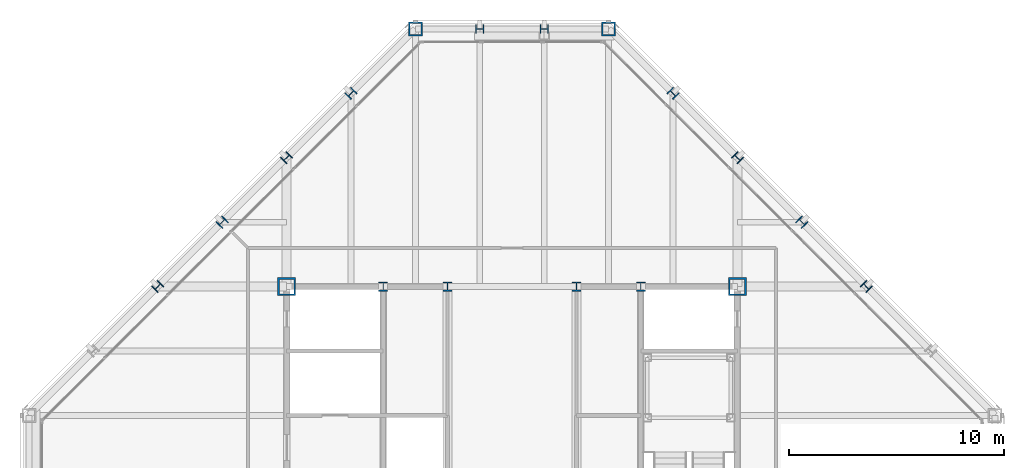
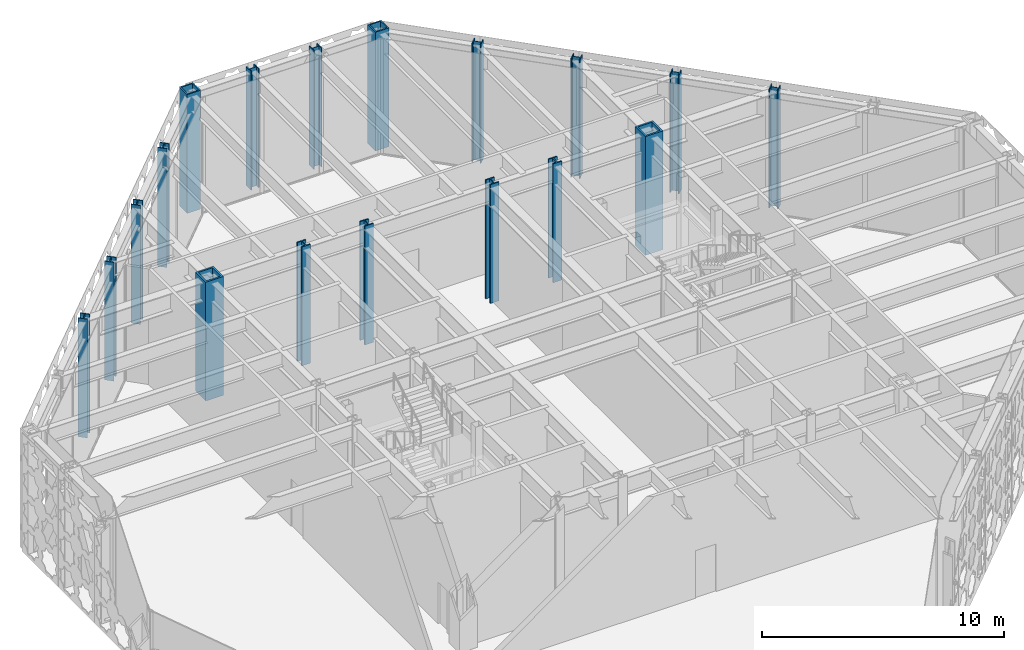
# One storey, part 4 of 28: 18 columns.
"""IFC4 building model written with IfcOpenShell, lengths in metres."""

from ifc_helpers import new_model, si_unit, direction, frame, origin, origin_2d, place, context, subcontext, project, spatial, hollow_rectangle, i_section, extrude, material, material_profile, profile_set, type_object, element, save


model = new_model("IFC4")

# Units and contexts
model_context = context("Model", 3, precision=1e-05, world=origin(), true_north=direction((0.0, 1.0)))
body_context = subcontext(model_context, "Body", "Model", "MODEL_VIEW")
ifc_project = project(units=[si_unit("LENGTHUNIT", "METRE"), si_unit("AREAUNIT", "SQUARE_METRE"), si_unit("VOLUMEUNIT", "CUBIC_METRE"), si_unit("PLANEANGLEUNIT", "RADIAN"), si_unit("MASSUNIT", "GRAM", prefix="KILO")], contexts=[model_context])

# Site, building, storey
site_placement = place(None, origin())
site = spatial("IfcSite", under=ifc_project, at=site_placement, CompositionType="ELEMENT")
building_placement = place(site_placement, origin())
building = spatial("IfcBuilding", under=site, at=building_placement, Name="Chuquiago Exchange Tower", CompositionType="ELEMENT")
storey_placement = place(building_placement, frame((0.0, 0.0, 300.0)))
storey = spatial("IfcBuildingStorey", under=building, at=storey_placement, Name="L67", CompositionType="ELEMENT", Elevation=300.0)

# Columns
ifc_material_1 = material(Name="Steel ASTM A992", Category="steel")
ifc_material_profile_1 = material_profile(ifc_material_1, i_section(OverallWidth=0.4013671875, OverallDepth=0.398681640625, WebThickness=0.02490234375, FlangeThickness=0.03955078125, at=origin_2d()), Name="W14X211")
ifc_profile_set_1 = profile_set([ifc_material_profile_1], Name="Steel ASTM A992")
column_type_1 = type_object("IfcColumnType", Name="C9 W14X211", PredefinedType="COLUMN", material=ifc_profile_set_1)
for number, where, z_axis, x_axis, name in (
    (1, (24.0, 45.0, 0.0), (0.0, 0.0, 1.0), (0.0, 1.0, 0.0), "COL-L67-24_45"),
    (2, (21.0, 45.0, 0.0), (0.0, 0.0, 1.0), (0.0, 1.0, 0.0), "COL-L67-21_45"),
):
    element("IfcColumn", number, at=place(storey_placement, frame(where, z_axis=z_axis, x_axis=x_axis)), inside=storey, type_object=column_type_1, Name=name, PredefinedType="COLUMN", context=body_context, shape_type="SweptSolid", body=[
        extrude(i_section(OverallWidth=0.4013671875, OverallDepth=0.398681640625, WebThickness=0.02490234375, FlangeThickness=0.03955078125, at=origin_2d()), origin(), (0.0, 0.0, 1.0), 6.0),
    ])
ifc_material_2 = material(Name="Steel ASTM A572 Grade 50", Category="steel")
ifc_material_profile_2 = material_profile(ifc_material_2, hollow_rectangle(XDim=0.85009765625, YDim=0.85009765625, WallThickness=0.0849609375, at=origin_2d()), Name="BOX850X850X85")
ifc_profile_set_2 = profile_set([ifc_material_profile_2], Name="Steel ASTM A572 Grade 50")
column_type_2 = type_object("IfcColumnType", Name="CC6 BOX850X850X85", PredefinedType="COLUMN", material=ifc_profile_set_2)
for number, where, z_axis, x_axis, name in (
    (3, (12.0, 33.0, 0.0), (0.0, 0.0, 1.0), (1.0, 0.0, 0.0), "CCOL-L67-12_33"),
    (4, (33.0, 33.0, 0.0), (0.0, 0.0, 1.0), (1.0, 0.0, 0.0), "CCOL-L67-33_33"),
):
    element("IfcColumn", number, at=place(storey_placement, frame(where, z_axis=z_axis, x_axis=x_axis)), inside=storey, type_object=column_type_2, Name=name, PredefinedType="COLUMN", context=body_context, shape_type="SweptSolid", body=[
        extrude(hollow_rectangle(XDim=0.85009765625, YDim=0.85009765625, WallThickness=0.0849609375, at=origin_2d()), origin(), (0.0, 0.0, 1.0), 6.0),
    ])
ifc_material_3 = material(Name="Steel ASTM A992", Category="steel")
ifc_material_profile_3 = material_profile(ifc_material_3, i_section(OverallWidth=0.41650390625, OverallDepth=0.444580078125, WebThickness=0.0390625, FlangeThickness=0.062744140625, at=origin_2d()), Name="W14X342")
ifc_profile_set_3 = profile_set([ifc_material_profile_3], Name="Steel ASTM A992")
column_type_3 = type_object("IfcColumnType", Name="CC9 W14X342", PredefinedType="COLUMN", material=ifc_profile_set_3)
for number, where, z_axis, x_axis, name in (
    (5, (16.5, 33.0, 0.0), (0.0, 0.0, 1.0), (1.0, 0.0, 0.0), "CCOL-L67-16.5_33"),
    (6, (19.5, 33.0, 0.0), (0.0, 0.0, 1.0), (1.0, 0.0, 0.0), "CCOL-L67-19.5_33"),
    (7, (25.5, 33.0, 0.0), (0.0, 0.0, 1.0), (1.0, 0.0, 0.0), "CCOL-L67-25.5_33"),
    (8, (28.5, 33.0, 0.0), (0.0, 0.0, 1.0), (1.0, 0.0, 0.0), "CCOL-L67-28.5_33"),
):
    element("IfcColumn", number, at=place(storey_placement, frame(where, z_axis=z_axis, x_axis=x_axis)), inside=storey, type_object=column_type_3, Name=name, PredefinedType="COLUMN", context=body_context, shape_type="SweptSolid", body=[
        extrude(i_section(OverallWidth=0.41650390625, OverallDepth=0.444580078125, WebThickness=0.0390625, FlangeThickness=0.062744140625, at=origin_2d()), origin(), (0.0, 0.0, 1.0), 6.0),
    ])
ifc_material_4 = material(Name="Steel ASTM A992", Category="steel")
ifc_material_profile_4 = material_profile(ifc_material_4, i_section(OverallWidth=0.40380859375, OverallDepth=0.406494140625, WebThickness=0.027099609375, FlangeThickness=0.043701171875, at=origin_2d()), Name="W14X233")
ifc_profile_set_4 = profile_set([ifc_material_profile_4], Name="Steel ASTM A992")
column_type_4 = type_object("IfcColumnType", Name="CK8 W14X233", PredefinedType="COLUMN", material=ifc_profile_set_4)
for number, where, z_axis, x_axis, name in (
    (9, (39.0, 33.0, 0.0), (0.0, 0.0, 1.0), (0.707106781187, 0.707106781187, 0.0), "COL-L67-39_33"),
    (10, (36.0, 36.0, 0.0), (0.0, 0.0, 1.0), (0.707106781187, 0.707106781187, 0.0), "COL-L67-36_36"),
    (11, (33.0, 39.0, 0.0), (0.0, 0.0, 1.0), (0.707106781187, 0.707106781187, 0.0), "COL-L67-33_39"),
    (12, (30.0, 42.0, 0.0), (0.0, 0.0, 1.0), (0.707106781187, 0.707106781187, 0.0), "COL-L67-30_42"),
    (13, (15.0, 42.0, 0.0), (0.0, 0.0, 1.0), (-0.707106781187, 0.707106781187, 0.0), "COL-L67-15_42"),
    (14, (12.0, 39.0, 0.0), (0.0, 0.0, 1.0), (-0.707106781187, 0.707106781187, 0.0), "COL-L67-12_39"),
    (15, (9.0, 36.0, 0.0), (0.0, 0.0, 1.0), (-0.707106781187, 0.707106781187, 0.0), "COL-L67-9_36"),
    (16, (6.0, 33.0, 0.0), (0.0, 0.0, 1.0), (-0.707106781187, 0.707106781187, 0.0), "COL-L67-6_33"),
):
    element("IfcColumn", number, at=place(storey_placement, frame(where, z_axis=z_axis, x_axis=x_axis)), inside=storey, type_object=column_type_4, Name=name, PredefinedType="COLUMN", context=body_context, shape_type="SweptSolid", body=[
        extrude(i_section(OverallWidth=0.40380859375, OverallDepth=0.406494140625, WebThickness=0.027099609375, FlangeThickness=0.043701171875, at=origin_2d()), origin(), (0.0, 0.0, 1.0), 6.0),
    ])
ifc_material_5 = material(Name="Steel ASTM A572 Grade 50", Category="steel")
ifc_material_profile_5 = material_profile(ifc_material_5, hollow_rectangle(XDim=0.64990234375, YDim=0.64990234375, WallThickness=0.06494140625, at=origin_2d()), Name="BOX650X650X65")
ifc_profile_set_5 = profile_set([ifc_material_profile_5], Name="Steel ASTM A572 Grade 50")
column_type_5 = type_object("IfcColumnType", Name="CN2 BOX650X650X65", PredefinedType="COLUMN", material=ifc_profile_set_5)
for number, where, z_axis, x_axis, name in (
    (17, (27.0, 45.0, 0.0), (0.0, 0.0, 1.0), (0.0, 1.0, 0.0), "COL-L67-27_45"),
    (18, (18.0, 45.0, 0.0), (0.0, 0.0, 1.0), (0.0, 1.0, 0.0), "COL-L67-18_45"),
):
    element("IfcColumn", number, at=place(storey_placement, frame(where, z_axis=z_axis, x_axis=x_axis)), inside=storey, type_object=column_type_5, Name=name, PredefinedType="COLUMN", context=body_context, shape_type="SweptSolid", body=[
        extrude(hollow_rectangle(XDim=0.64990234375, YDim=0.64990234375, WallThickness=0.06494140625, at=origin_2d()), origin(), (0.0, 0.0, 1.0), 6.0),
    ])

save(model, "model.ifc")
